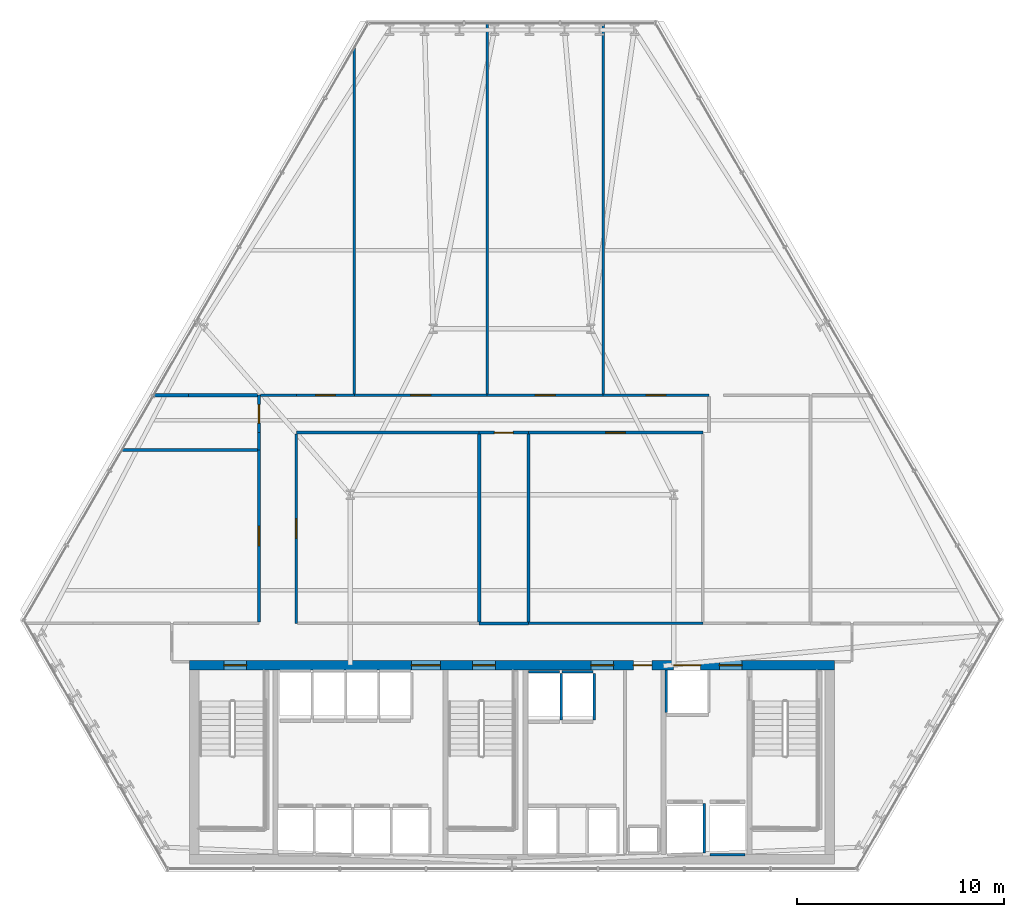
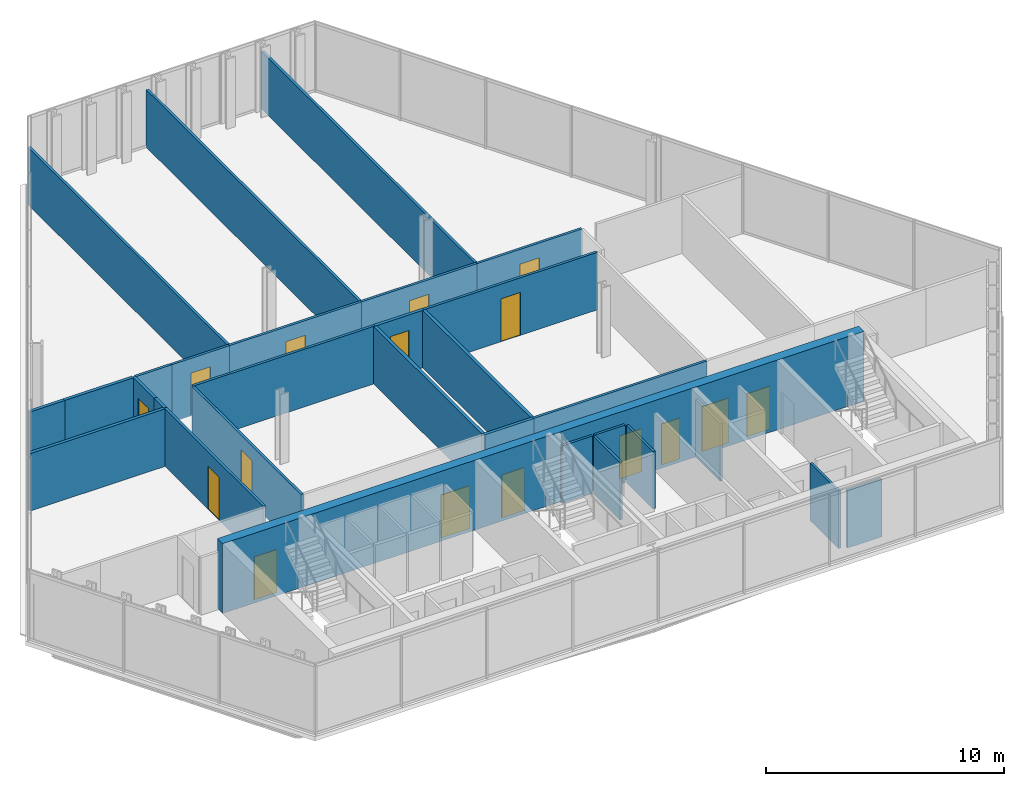
# One storey, part 28 of 32: 30 walls, 16 doors, 16 openings.
"""IFC4 building model written with IfcOpenShell, lengths in metres."""

from ifc_helpers import new_model, si_unit, direction, frame, frame_2d, origin, place, context, subcontext, project, spatial, rectangle, extrude, material, layer, layer_set, type_object, element, fill, save


model = new_model("IFC4")

# Units and contexts
model_context = context("Model", 3, precision=1e-05, world=origin(), true_north=direction((0.0, 1.0)))
body_context = subcontext(model_context, "Body", "Model", "MODEL_VIEW")
ifc_project = project(units=[si_unit("LENGTHUNIT", "METRE"), si_unit("AREAUNIT", "SQUARE_METRE"), si_unit("VOLUMEUNIT", "CUBIC_METRE"), si_unit("PLANEANGLEUNIT", "RADIAN"), si_unit("MASSUNIT", "GRAM", prefix="KILO")], contexts=[model_context])

# Site, building, storey
site_placement = place(None, origin())
site = spatial("IfcSite", under=ifc_project, at=site_placement, CompositionType="ELEMENT")
building_placement = place(site_placement, origin())
building = spatial("IfcBuilding", under=site, at=building_placement, Name="Ndaravel Arena Tower", CompositionType="ELEMENT")
storey_placement = place(building_placement, frame((0.0, 0.0, 93.0)))
storey = spatial("IfcBuildingStorey", under=building, at=storey_placement, Name="L21", CompositionType="ELEMENT", Elevation=93.0)

# Wall, openings, doors
ifc_material_1 = material(Name="Concrete C60/75", Category="concrete")
ifc_layer_1 = layer(ifc_material_1, 0.449951171875)
ifc_layer_set_1 = layer_set([ifc_layer_1], Name="Concrete C60/75")
wall_type_1 = type_object("IfcWallType", Name="WALL-CORE-450", PredefinedType="SOLIDWALL", material=ifc_layer_set_1)
wall_1_placement = place(storey_placement, frame((26.449951171875, 14.97509765625, 0.0), z_axis=(0.0, 0.0, 1.0), x_axis=(1.0, 0.0, 0.0)))
wall_1 = element("IfcWall", 1, at=wall_1_placement, inside=storey, type_object=wall_type_1, Name="L21 Core North Shear Wall", PredefinedType="SOLIDWALL", context=body_context, shape_type="SweptSolid", body=[
    extrude(rectangle(XDim=31.10009765625, YDim=0.449951171875, at=frame_2d((15.550048828125, 0.0))), origin(), (0.0, 0.0, 1.0), 3.580078125),
])
opening_1_placement = place(wall_1_placement, frame((1.64990234375, 0.0, 0.0)))
opening_1 = element("IfcOpeningElement", 2, at=opening_1_placement, cuts=wall_1, Name="Opening FD-01", PredefinedType="OPENING", context=body_context, shape_type="SweptSolid", body=[
    extrude(rectangle(XDim=1.10009765625, YDim=2.199951171875, at=frame_2d((0.550048828125, 1.10009765625))), frame((0.0, 0.22509765625, 0.0), z_axis=(0.0, -1.0, 0.0), x_axis=(1.0, 0.0, 0.0)), (0.0, 0.0, 1.0), 0.449951171875),
])
opening_2_placement = place(wall_1_placement, frame((13.64990234375, 0.0, 0.0)))
opening_2 = element("IfcOpeningElement", 3, at=opening_2_placement, cuts=wall_1, Name="Opening FD-01", PredefinedType="OPENING", context=body_context, shape_type="SweptSolid", body=[
    extrude(rectangle(XDim=1.10009765625, YDim=2.199951171875, at=frame_2d((0.550048828125, 1.10009765625))), frame((0.0, 0.22509765625, 0.0), z_axis=(0.0, -1.0, 0.0), x_axis=(1.0, 0.0, 0.0)), (0.0, 0.0, 1.0), 0.449951171875),
])
opening_3_placement = place(wall_1_placement, frame((25.550048828125, 0.0, 0.0)))
opening_3 = element("IfcOpeningElement", 4, at=opening_3_placement, cuts=wall_1, Name="Opening FD-01", PredefinedType="OPENING", context=body_context, shape_type="SweptSolid", body=[
    extrude(rectangle(XDim=1.10009765625, YDim=2.199951171875, at=frame_2d((0.550048828125, 1.10009765625))), frame((0.0, 0.22509765625, 0.0), z_axis=(0.0, -1.0, 0.0), x_axis=(1.0, 0.0, 0.0)), (0.0, 0.0, 1.0), 0.449951171875),
])
opening_4_placement = place(wall_1_placement, frame((10.699951171875, 0.0, 0.0)))
opening_4 = element("IfcOpeningElement", 5, at=opening_4_placement, cuts=wall_1, Name="Opening ID-02", PredefinedType="OPENING", context=body_context, shape_type="SweptSolid", body=[
    extrude(rectangle(XDim=1.39990234375, YDim=2.199951171875, at=frame_2d((0.699951171875, 1.10009765625))), frame((0.0, 0.22509765625, 0.0), z_axis=(0.0, -1.0, 0.0), x_axis=(1.0, 0.0, 0.0)), (0.0, 0.0, 1.0), 0.449951171875),
])
opening_5_placement = place(wall_1_placement, frame((19.35009765625, 0.0, 0.0)))
opening_5 = element("IfcOpeningElement", 6, at=opening_5_placement, cuts=wall_1, Name="Opening FD-01", PredefinedType="OPENING", context=body_context, shape_type="SweptSolid", body=[
    extrude(rectangle(XDim=1.10009765625, YDim=2.199951171875, at=frame_2d((0.550048828125, 1.10009765625))), frame((0.0, 0.22509765625, 0.0), z_axis=(0.0, -1.0, 0.0), x_axis=(1.0, 0.0, 0.0)), (0.0, 0.0, 1.0), 0.449951171875),
])
opening_6_placement = place(wall_1_placement, frame((21.39990234375, 0.0, 0.0)))
opening_6 = element("IfcOpeningElement", 7, at=opening_6_placement, cuts=wall_1, Name="Opening RD-01", PredefinedType="OPENING", context=body_context, shape_type="SweptSolid", body=[
    extrude(rectangle(XDim=0.89990234375, YDim=2.10009765625, at=frame_2d((0.449951171875, 1.050048828125))), frame((0.0, 0.22509765625, 0.0), z_axis=(0.0, -1.0, 0.0), x_axis=(1.0, 0.0, 0.0)), (0.0, 0.0, 1.0), 0.449951171875),
])
opening_7_placement = place(wall_1_placement, frame((23.35009765625, 0.0, 0.0)))
opening_7 = element("IfcOpeningElement", 8, at=opening_7_placement, cuts=wall_1, Name="Opening LD-02", PredefinedType="OPENING", context=body_context, shape_type="SweptSolid", body=[
    extrude(rectangle(XDim=1.300048828125, YDim=2.300048828125, at=frame_2d((0.64990234375, 1.14990234375))), frame((0.0, 0.22509765625, 0.0), z_axis=(0.0, -1.0, 0.0), x_axis=(1.0, 0.0, 0.0)), (0.0, 0.0, 1.0), 0.449951171875),
])
ifc_material_2 = material(Name="Steel S355", Category="steel")
door_type_1 = type_object("IfcDoorType", Name="DT-01-STAIR-1100", OperationType="SINGLE_SWING_LEFT", PredefinedType="DOOR", material=ifc_material_2)
door_1_placement = place(opening_1_placement, origin())
door_1 = element("IfcDoor", 9, at=door_1_placement, inside=storey, type_object=door_type_1, Name="L21 Exit Stair ST-1 Door", OperationType="SINGLE_SWING_RIGHT", OverallHeight=2.199951171875, OverallWidth=1.10009765625, PredefinedType="DOOR", context=body_context, shape_type="SweptSolid", body=[
    extrude(rectangle(XDim=1.10009765625, YDim=2.199951171875, at=frame_2d((0.550048828125, 1.10009765625))), frame((0.0, 0.02490234375, 0.0), z_axis=(0.0, -1.0, 0.0), x_axis=(1.0, 0.0, 0.0)), (0.0, 0.0, 1.0), 0.050048828125),
])
fill(opening_1, door_1)
door_2_placement = place(opening_2_placement, origin())
door_2 = element("IfcDoor", 10, at=door_2_placement, inside=storey, type_object=door_type_1, Name="L21 Exit Stair ST-2 Door", OperationType="SINGLE_SWING_LEFT", OverallHeight=2.199951171875, OverallWidth=1.10009765625, PredefinedType="DOOR", context=body_context, shape_type="SweptSolid", body=[
    extrude(rectangle(XDim=1.10009765625, YDim=2.199951171875, at=frame_2d((0.550048828125, 1.10009765625))), frame((0.0, 0.02490234375, 0.0), z_axis=(0.0, -1.0, 0.0), x_axis=(1.0, 0.0, 0.0)), (0.0, 0.0, 1.0), 0.050048828125),
])
fill(opening_2, door_2)
door_3_placement = place(opening_3_placement, origin())
door_3 = element("IfcDoor", 11, at=door_3_placement, inside=storey, type_object=door_type_1, Name="L21 Firefighting Lift Lobby Door", OperationType="SINGLE_SWING_RIGHT", OverallHeight=2.199951171875, OverallWidth=1.10009765625, PredefinedType="DOOR", context=body_context, shape_type="SweptSolid", body=[
    extrude(rectangle(XDim=1.10009765625, YDim=2.199951171875, at=frame_2d((0.550048828125, 1.10009765625))), frame((0.0, 0.02490234375, 0.0), z_axis=(0.0, -1.0, 0.0), x_axis=(1.0, 0.0, 0.0)), (0.0, 0.0, 1.0), 0.050048828125),
])
fill(opening_3, door_3)
door_4_placement = place(opening_5_placement, origin())
door_4 = element("IfcDoor", 12, at=door_4_placement, inside=storey, type_object=door_type_1, Name="L21 Express Lift Lobby Entry Door", OperationType="SINGLE_SWING_LEFT", OverallHeight=2.199951171875, OverallWidth=1.10009765625, PredefinedType="DOOR", context=body_context, shape_type="SweptSolid", body=[
    extrude(rectangle(XDim=1.10009765625, YDim=2.199951171875, at=frame_2d((0.550048828125, 1.10009765625))), frame((0.0, 0.02490234375, 0.0), z_axis=(0.0, -1.0, 0.0), x_axis=(1.0, 0.0, 0.0)), (0.0, 0.0, 1.0), 0.050048828125),
])
fill(opening_5, door_4)
ifc_material_3 = material(Name="Timber", Category="wood")
door_type_2 = type_object("IfcDoorType", Name="DT-04-SUITE-1400", OperationType="DOUBLE_DOOR_SINGLE_SWING", PredefinedType="DOOR", material=ifc_material_3)
door_5_placement = place(opening_4_placement, origin())
door_5 = element("IfcDoor", 13, at=door_5_placement, inside=storey, type_object=door_type_2, Name="L21 West Lift Lobby Entry Door", OperationType="DOUBLE_DOOR_SINGLE_SWING", OverallHeight=2.199951171875, OverallWidth=1.39990234375, PredefinedType="DOOR", context=body_context, shape_type="SweptSolid", body=[
    extrude(rectangle(XDim=1.39990234375, YDim=2.199951171875, at=frame_2d((0.699951171875, 1.10009765625))), frame((0.0, 0.02490234375, 0.0), z_axis=(0.0, -1.0, 0.0), x_axis=(1.0, 0.0, 0.0)), (0.0, 0.0, 1.0), 0.050048828125),
])
fill(opening_4, door_5)
ifc_material_4 = material(Name="Steel S355", Category="steel")
door_type_3 = type_object("IfcDoorType", Name="DT-07-SVLIFT-1300", OperationType="DOUBLE_DOOR_SLIDING", PredefinedType="DOOR", material=ifc_material_4)
door_6_placement = place(opening_7_placement, origin())
door_6 = element("IfcDoor", 14, at=door_6_placement, inside=storey, type_object=door_type_3, Name="L21 Lift SVL-1 Sliding Landing Door", OperationType="DOUBLE_DOOR_SLIDING", OverallHeight=2.300048828125, OverallWidth=1.300048828125, PredefinedType="DOOR", context=body_context, shape_type="SweptSolid", body=[
    extrude(rectangle(XDim=1.300048828125, YDim=2.300048828125, at=frame_2d((0.64990234375, 1.14990234375))), frame((0.0, 0.02490234375, 0.0), z_axis=(0.0, -1.0, 0.0), x_axis=(1.0, 0.0, 0.0)), (0.0, 0.0, 1.0), 0.050048828125),
])
fill(opening_7, door_6)
ifc_material_5 = material(Name="Steel S355", Category="steel")
door_type_4 = type_object("IfcDoorType", Name="DT-08-RISER-900", OperationType="SINGLE_SWING_LEFT", PredefinedType="DOOR", material=ifc_material_5)
door_7_placement = place(opening_6_placement, origin())
door_7 = element("IfcDoor", 15, at=door_7_placement, inside=storey, type_object=door_type_4, Name="L21 Core Service Riser North Door", OperationType="SINGLE_SWING_LEFT", OverallHeight=2.10009765625, OverallWidth=0.89990234375, PredefinedType="DOOR", context=body_context, shape_type="SweptSolid", body=[
    extrude(rectangle(XDim=0.89990234375, YDim=2.10009765625, at=frame_2d((0.449951171875, 1.050048828125))), frame((0.0, 0.02490234375, 0.0), z_axis=(0.0, -1.0, 0.0), x_axis=(1.0, 0.0, 0.0)), (0.0, 0.0, 1.0), 0.050048828125),
])
fill(opening_6, door_7)

# Wall, opening, door
ifc_material_6 = material(Name="Gypsum", Category="gypsum")
ifc_layer_2 = layer(ifc_material_6, 0.125)
ifc_layer_set_2 = layer_set([ifc_layer_2], Name="Gypsum")
wall_type_2 = type_object("IfcWallType", Name="WALL-PART-125", PredefinedType="PARTITIONING", material=ifc_layer_set_2)
wall_2_placement = place(storey_placement, frame((29.800048828125, 17.06494140625, 0.0), z_axis=(0.0, 0.0, 1.0), x_axis=(0.0, 1.0, 0.0)))
wall_2 = element("IfcWall", 16, at=wall_2_placement, inside=storey, type_object=wall_type_2, Name="L21 Interior Partition 007", PredefinedType="PARTITIONING", context=body_context, shape_type="SweptSolid", body=[
    extrude(rectangle(XDim=8.295166015625, YDim=0.125, at=frame_2d((4.1474609375, 0.0))), origin(), (0.0, 0.0, 1.0), 2.949951171875),
])
opening_8_placement = place(wall_2_placement, frame((3.672607421875, 0.0, 0.0)))
opening_8 = element("IfcOpeningElement", 17, at=opening_8_placement, cuts=wall_2, Name="Opening ID-01", PredefinedType="OPENING", context=body_context, shape_type="SweptSolid", body=[
    extrude(rectangle(XDim=0.949951171875, YDim=2.199951171875, at=frame_2d((0.47509765625, 1.10009765625))), frame((0.0, 0.0625, 0.0), z_axis=(0.0, -1.0, 0.0), x_axis=(1.0, 0.0, 0.0)), (0.0, 0.0, 1.0), 0.125),
])
ifc_material_7 = material(Name="Timber", Category="wood")
door_type_5 = type_object("IfcDoorType", Name="DT-03-OFFICE-950", OperationType="SINGLE_SWING_LEFT", PredefinedType="DOOR", material=ifc_material_7)
door_8_placement = place(opening_8_placement, origin())
door_8 = element("IfcDoor", 18, at=door_8_placement, inside=storey, type_object=door_type_5, Name="L21 Floor Security Control Room Door", OperationType="SINGLE_SWING_RIGHT", OverallHeight=2.199951171875, OverallWidth=0.949951171875, PredefinedType="DOOR", context=body_context, shape_type="SweptSolid", body=[
    extrude(rectangle(XDim=0.949951171875, YDim=2.199951171875, at=frame_2d((0.47509765625, 1.10009765625))), frame((0.0, 0.02490234375, 0.0), z_axis=(0.0, -1.0, 0.0), x_axis=(1.0, 0.0, 0.0)), (0.0, 0.0, 1.0), 0.050048828125),
])
fill(opening_8, door_8)

# Wall
wall_3_placement = place(storey_placement, frame((29.864990234375, 28.0, 0.0), z_axis=(0.0, 0.0, 1.0), x_axis=(1.0, 0.0, 0.0)))
element("IfcWall", 19, at=wall_3_placement, inside=storey, type_object=wall_type_2, Name="L21 Interior Partition 010", PredefinedType="PARTITIONING", context=body_context, shape_type="SweptSolid", body=[
    extrude(rectangle(XDim=1.735107421875, YDim=0.125, at=frame_2d((0.86767578125, 0.0))), origin(), (0.0, 0.0, 1.0), 2.949951171875),
])

# Wall, opening, door
wall_4_placement = place(storey_placement, frame((31.60009765625, 28.0, 0.0), z_axis=(0.0, 0.0, 1.0), x_axis=(1.0, 0.0, 0.0)))
wall_4 = element("IfcWall", 20, at=wall_4_placement, inside=storey, type_object=wall_type_2, Name="L21 Interior Partition 011", PredefinedType="PARTITIONING", context=body_context, shape_type="SweptSolid", body=[
    extrude(rectangle(XDim=2.7998046875, YDim=0.125, at=frame_2d((1.39990234375, 0.0))), origin(), (0.0, 0.0, 1.0), 2.949951171875),
])
opening_9_placement = place(wall_4_placement, frame((0.925048828125, 0.0, 0.0)))
opening_9 = element("IfcOpeningElement", 21, at=opening_9_placement, cuts=wall_4, Name="Opening ID-01", PredefinedType="OPENING", context=body_context, shape_type="SweptSolid", body=[
    extrude(rectangle(XDim=0.949951171875, YDim=2.199951171875, at=frame_2d((0.47509765625, 1.10009765625))), frame((0.0, 0.0625, 0.0), z_axis=(0.0, -1.0, 0.0), x_axis=(1.0, 0.0, 0.0)), (0.0, 0.0, 1.0), 0.125),
])
door_9_placement = place(opening_9_placement, origin())
door_9 = element("IfcDoor", 22, at=door_9_placement, inside=storey, type_object=door_type_5, Name="L21 Medical First Aid Clinic 3 Door", OperationType="SINGLE_SWING_LEFT", OverallHeight=2.199951171875, OverallWidth=0.949951171875, PredefinedType="DOOR", context=body_context, shape_type="SweptSolid", body=[
    extrude(rectangle(XDim=0.949951171875, YDim=2.199951171875, at=frame_2d((0.47509765625, 1.10009765625))), frame((0.0, 0.02490234375, 0.0), z_axis=(0.0, -1.0, 0.0), x_axis=(1.0, 0.0, 0.0)), (0.0, 0.0, 1.0), 0.050048828125),
])
fill(opening_9, door_9)

wall_5_placement = place(storey_placement, frame((34.39990234375, 28.0, 0.0), z_axis=(0.0, 0.0, 1.0), x_axis=(1.0, 0.0, 0.0)))
wall_5 = element("IfcWall", 23, at=wall_5_placement, inside=storey, type_object=wall_type_2, Name="L21 Interior Partition 012", PredefinedType="PARTITIONING", context=body_context, shape_type="SweptSolid", body=[
    extrude(rectangle(XDim=6.400146484375, YDim=0.125, at=frame_2d((3.2001953125, 0.0))), origin(), (0.0, 0.0, 1.0), 2.949951171875),
])
opening_10_placement = place(wall_5_placement, frame((2.72509765625, 0.0, 0.0)))
opening_10 = element("IfcOpeningElement", 24, at=opening_10_placement, cuts=wall_5, Name="Opening ID-01", PredefinedType="OPENING", context=body_context, shape_type="SweptSolid", body=[
    extrude(rectangle(XDim=0.949951171875, YDim=2.199951171875, at=frame_2d((0.47509765625, 1.10009765625))), frame((0.0, 0.0625, 0.0), z_axis=(0.0, -1.0, 0.0), x_axis=(1.0, 0.0, 0.0)), (0.0, 0.0, 1.0), 0.125),
])
door_10_placement = place(opening_10_placement, origin())
door_10 = element("IfcDoor", 25, at=door_10_placement, inside=storey, type_object=door_type_5, Name="L21 Physio Therapy Room 4 Door", OperationType="SINGLE_SWING_LEFT", OverallHeight=2.199951171875, OverallWidth=0.949951171875, PredefinedType="DOOR", context=body_context, shape_type="SweptSolid", body=[
    extrude(rectangle(XDim=0.949951171875, YDim=2.199951171875, at=frame_2d((0.47509765625, 1.10009765625))), frame((0.0, 0.02490234375, 0.0), z_axis=(0.0, -1.0, 0.0), x_axis=(1.0, 0.0, 0.0)), (0.0, 0.0, 1.0), 0.050048828125),
])
fill(opening_10, door_10)

wall_6_placement = place(storey_placement, frame((40.800048828125, 28.0, 0.0), z_axis=(0.0, 0.0, 1.0), x_axis=(1.0, 0.0, 0.0)))
wall_6 = element("IfcWall", 26, at=wall_6_placement, inside=storey, type_object=wall_type_2, Name="L21 Interior Partition 013", PredefinedType="PARTITIONING", context=body_context, shape_type="SweptSolid", body=[
    extrude(rectangle(XDim=5.599853515625, YDim=0.125, at=frame_2d((2.7998046875, 0.0))), origin(), (0.0, 0.0, 1.0), 2.949951171875),
])
opening_11_placement = place(wall_6_placement, frame((2.324951171875, 0.0, 0.0)))
opening_11 = element("IfcOpeningElement", 27, at=opening_11_placement, cuts=wall_6, Name="Opening ID-01", PredefinedType="OPENING", context=body_context, shape_type="SweptSolid", body=[
    extrude(rectangle(XDim=0.949951171875, YDim=2.199951171875, at=frame_2d((0.47509765625, 1.10009765625))), frame((0.0, 0.0625, 0.0), z_axis=(0.0, -1.0, 0.0), x_axis=(1.0, 0.0, 0.0)), (0.0, 0.0, 1.0), 0.125),
])
door_11_placement = place(opening_11_placement, origin())
door_11 = element("IfcDoor", 28, at=door_11_placement, inside=storey, type_object=door_type_5, Name="L21 Open Plan Workplace 5 Door", OperationType="SINGLE_SWING_RIGHT", OverallHeight=2.199951171875, OverallWidth=0.949951171875, PredefinedType="DOOR", context=body_context, shape_type="SweptSolid", body=[
    extrude(rectangle(XDim=0.949951171875, YDim=2.199951171875, at=frame_2d((0.47509765625, 1.10009765625))), frame((0.0, 0.02490234375, 0.0), z_axis=(0.0, -1.0, 0.0), x_axis=(1.0, 0.0, 0.0)), (0.0, 0.0, 1.0), 0.050048828125),
])
fill(opening_11, door_11)

wall_7_placement = place(storey_placement, frame((46.39990234375, 28.0, 0.0), z_axis=(0.0, 0.0, 1.0), x_axis=(1.0, 0.0, 0.0)))
wall_7 = element("IfcWall", 29, at=wall_7_placement, inside=storey, type_object=wall_type_2, Name="L21 Interior Partition 014", PredefinedType="PARTITIONING", context=body_context, shape_type="SweptSolid", body=[
    extrude(rectangle(XDim=5.10009765625, YDim=0.125, at=frame_2d((2.550048828125, 0.0))), origin(), (0.0, 0.0, 1.0), 2.949951171875),
])
opening_12_placement = place(wall_7_placement, frame((2.074951171875, 0.0, 0.0)))
opening_12 = element("IfcOpeningElement", 30, at=opening_12_placement, cuts=wall_7, Name="Opening ID-01", PredefinedType="OPENING", context=body_context, shape_type="SweptSolid", body=[
    extrude(rectangle(XDim=0.949951171875, YDim=2.199951171875, at=frame_2d((0.47509765625, 1.10009765625))), frame((0.0, 0.0625, 0.0), z_axis=(0.0, -1.0, 0.0), x_axis=(1.0, 0.0, 0.0)), (0.0, 0.0, 1.0), 0.125),
])
door_12_placement = place(opening_12_placement, origin())
door_12 = element("IfcDoor", 31, at=door_12_placement, inside=storey, type_object=door_type_5, Name="L21 Executive Corner Office 4 Door", OperationType="SINGLE_SWING_RIGHT", OverallHeight=2.199951171875, OverallWidth=0.949951171875, PredefinedType="DOOR", context=body_context, shape_type="SweptSolid", body=[
    extrude(rectangle(XDim=0.949951171875, YDim=2.199951171875, at=frame_2d((0.47509765625, 1.10009765625))), frame((0.0, 0.02490234375, 0.0), z_axis=(0.0, -1.0, 0.0), x_axis=(1.0, 0.0, 0.0)), (0.0, 0.0, 1.0), 0.050048828125),
])
fill(opening_12, door_12)

wall_8_placement = place(storey_placement, frame((51.199951171875, 26.199951171875, 0.0), z_axis=(0.0, 0.0, 1.0), x_axis=(-1.0, 0.0, 0.0)))
wall_8 = element("IfcWall", 32, at=wall_8_placement, inside=storey, type_object=wall_type_2, Name="L21 Interior Partition 016", PredefinedType="PARTITIONING", context=body_context, shape_type="SweptSolid", body=[
    extrude(rectangle(XDim=8.408447265625, YDim=0.125, at=frame_2d((4.2041015625, 0.0))), origin(), (0.0, 0.0, 1.0), 2.949951171875),
])
opening_13_placement = place(wall_8_placement, frame((3.729248046875, 0.0, 0.0)))
opening_13 = element("IfcOpeningElement", 33, at=opening_13_placement, cuts=wall_8, Name="Opening ID-01", PredefinedType="OPENING", context=body_context, shape_type="SweptSolid", body=[
    extrude(rectangle(XDim=0.949951171875, YDim=2.199951171875, at=frame_2d((0.47509765625, 1.10009765625))), frame((0.0, 0.0625, 0.0), z_axis=(0.0, -1.0, 0.0), x_axis=(1.0, 0.0, 0.0)), (0.0, 0.0, 1.0), 0.125),
])
door_13_placement = place(opening_13_placement, origin())
door_13 = element("IfcDoor", 34, at=door_13_placement, inside=storey, type_object=door_type_5, Name="L21 Advisory Desk Office 3 Door", OperationType="SINGLE_SWING_RIGHT", OverallHeight=2.199951171875, OverallWidth=0.949951171875, PredefinedType="DOOR", context=body_context, shape_type="SweptSolid", body=[
    extrude(rectangle(XDim=0.949951171875, YDim=2.199951171875, at=frame_2d((0.47509765625, 1.10009765625))), frame((0.0, 0.02490234375, 0.0), z_axis=(0.0, -1.0, 0.0), x_axis=(1.0, 0.0, 0.0)), (0.0, 0.0, 1.0), 0.050048828125),
])
fill(opening_13, door_13)

# Wall
wall_9_placement = place(storey_placement, frame((40.419921875, 26.199951171875, 0.0), z_axis=(0.0, 0.0, 1.0), x_axis=(-1.0, 0.0, 0.0)))
element("IfcWall", 35, at=wall_9_placement, inside=storey, type_object=wall_type_2, Name="L21 Interior Partition 018", PredefinedType="PARTITIONING", context=body_context, shape_type="SweptSolid", body=[
    extrude(rectangle(XDim=8.81982421875, YDim=0.125, at=frame_2d((4.409912109375, 0.0))), origin(), (0.0, 0.0, 1.0), 2.949951171875),
])

# Wall, opening, door
wall_10_placement = place(storey_placement, frame((31.60009765625, 26.135009765625, 0.0), z_axis=(0.0, 0.0, 1.0), x_axis=(0.0, -1.0, 0.0)))
wall_10 = element("IfcWall", 36, at=wall_10_placement, inside=storey, type_object=wall_type_2, Name="L21 Interior Partition 019", PredefinedType="PARTITIONING", context=body_context, shape_type="SweptSolid", body=[
    extrude(rectangle(XDim=9.135009765625, YDim=0.125, at=frame_2d((4.5673828125, 0.0))), origin(), (0.0, 0.0, 1.0), 2.949951171875),
])
opening_14_placement = place(wall_10_placement, frame((4.092529296875, 0.0, 0.0)))
opening_14 = element("IfcOpeningElement", 37, at=opening_14_placement, cuts=wall_10, Name="Opening ID-01", PredefinedType="OPENING", context=body_context, shape_type="SweptSolid", body=[
    extrude(rectangle(XDim=0.949951171875, YDim=2.199951171875, at=frame_2d((0.47509765625, 1.10009765625))), frame((0.0, 0.0625, 0.0), z_axis=(0.0, -1.0, 0.0), x_axis=(1.0, 0.0, 0.0)), (0.0, 0.0, 1.0), 0.125),
])
door_14_placement = place(opening_14_placement, origin())
door_14 = element("IfcDoor", 38, at=door_14_placement, inside=storey, type_object=door_type_5, Name="L21 Cellular Partner Office 2 Door", OperationType="SINGLE_SWING_RIGHT", OverallHeight=2.199951171875, OverallWidth=0.949951171875, PredefinedType="DOOR", context=body_context, shape_type="SweptSolid", body=[
    extrude(rectangle(XDim=0.949951171875, YDim=2.199951171875, at=frame_2d((0.47509765625, 1.10009765625))), frame((0.0, 0.02490234375, 0.0), z_axis=(0.0, -1.0, 0.0), x_axis=(1.0, 0.0, 0.0)), (0.0, 0.0, 1.0), 0.050048828125),
])
fill(opening_14, door_14)

# Walls
wall_11_placement = place(storey_placement, frame((42.79150390625, 17.0, 0.0), z_axis=(0.0, 0.0, 1.0), x_axis=(1.0, 0.0, 0.0)))
element("IfcWall", 39, at=wall_11_placement, inside=storey, type_object=wall_type_2, Name="L21 Interior Partition 022", PredefinedType="PARTITIONING", context=body_context, shape_type="SweptSolid", body=[
    extrude(rectangle(XDim=8.408447265625, YDim=0.125, at=frame_2d((4.2041015625, 0.0))), origin(), (0.0, 0.0, 1.0), 2.949951171875),
])
wall_12_placement = place(storey_placement, frame((34.39990234375, 44.771240234375, 0.0), z_axis=(0.0, 0.0, 1.0), x_axis=(0.0, -1.0, 0.0)))
element("IfcWall", 40, at=wall_12_placement, inside=storey, type_object=wall_type_2, Name="L21 Interior Partition 038", PredefinedType="PARTITIONING", context=body_context, shape_type="SweptSolid", body=[
    extrude(rectangle(XDim=16.706298828125, YDim=0.125, at=frame_2d((8.35302734375, 0.0))), origin(), (0.0, 0.0, 1.0), 2.949951171875),
])
for number, where, z_axis, x_axis, name in (
    (41, (46.39990234375, 28.06494140625, 0.0), (0.0, 0.0, 1.0), (0.0, 1.0, 0.0), "L21 Interior Partition 039"),
    (42, (40.800048828125, 45.93408203125, 0.0), (0.0, 0.0, 1.0), (0.0, -1.0, 0.0), "L21 Interior Partition 040"),
):
    element("IfcWall", number, at=place(storey_placement, frame(where, z_axis=z_axis, x_axis=x_axis)), inside=storey, type_object=wall_type_2, Name=name, PredefinedType="PARTITIONING", context=body_context, shape_type="SweptSolid", body=[
        extrude(rectangle(XDim=17.869140625, YDim=0.125, at=frame_2d((8.9345703125, 0.0))), origin(), (0.0, 0.0, 1.0), 2.949951171875),
    ])
ifc_material_8 = material(Name="Concrete C40/50", Category="concrete")
ifc_layer_3 = layer(ifc_material_8, 0.1201171875)
ifc_layer_set_3 = layer_set([ifc_layer_3], Name="Concrete C40/50")
wall_type_3 = type_object("IfcWallType", Name="WALL-SHAFT-120", PredefinedType="SOLIDWALL", material=ifc_layer_set_3)
wall_13_placement = place(storey_placement, frame((42.804931640625, 14.659912109375, 0.0), z_axis=(0.0, 0.0, 1.0), x_axis=(1.0, 0.0, 0.0)))
element("IfcWall", 43, at=wall_13_placement, inside=storey, type_object=wall_type_3, Name="L21 PL-OBS1 Shaft Rear Wall", PredefinedType="SOLIDWALL", context=body_context, shape_type="SweptSolid", body=[
    extrude(rectangle(XDim=1.489990234375, YDim=0.1201171875, at=frame_2d((0.7451171875, 0.0))), origin(), (0.0, 0.0, 1.0), 2.949951171875),
])
wall_14_placement = place(storey_placement, frame((44.375, 12.340087890625, 0.0), z_axis=(0.0, 0.0, 1.0), x_axis=(0.0, 1.0, 0.0)))
element("IfcWall", 44, at=wall_14_placement, inside=storey, type_object=wall_type_3, Name="L21 PL-OBS1 Shaft Side R Wall", PredefinedType="SOLIDWALL", context=body_context, shape_type="SweptSolid", body=[
    extrude(rectangle(XDim=2.22998046875, YDim=0.1201171875, at=frame_2d((1.114990234375, 0.0))), origin(), (0.0, 0.0, 1.0), 2.949951171875),
])
wall_15_placement = place(storey_placement, frame((44.405029296875, 14.659912109375, 0.0), z_axis=(0.0, 0.0, 1.0), x_axis=(1.0, 0.0, 0.0)))
element("IfcWall", 45, at=wall_15_placement, inside=storey, type_object=wall_type_3, Name="L21 PL-OBS2 Shaft Rear Wall", PredefinedType="SOLIDWALL", context=body_context, shape_type="SweptSolid", body=[
    extrude(rectangle(XDim=1.489990234375, YDim=0.1201171875, at=frame_2d((0.7451171875, 0.0))), origin(), (0.0, 0.0, 1.0), 2.949951171875),
])
wall_16_placement = place(storey_placement, frame((45.97509765625, 12.340087890625, 0.0), z_axis=(0.0, 0.0, 1.0), x_axis=(0.0, 1.0, 0.0)))
element("IfcWall", 46, at=wall_16_placement, inside=storey, type_object=wall_type_3, Name="L21 PL-OBS2 Shaft Side R Wall", PredefinedType="SOLIDWALL", context=body_context, shape_type="SweptSolid", body=[
    extrude(rectangle(XDim=2.22998046875, YDim=0.1201171875, at=frame_2d((1.114990234375, 0.0))), origin(), (0.0, 0.0, 1.0), 2.949951171875),
])
wall_17_placement = place(storey_placement, frame((51.27490234375, 5.929931640625, 0.0), z_axis=(0.0, 0.0, 1.0), x_axis=(0.0, 1.0, 0.0)))
element("IfcWall", 47, at=wall_17_placement, inside=storey, type_object=wall_type_3, Name="L21 FFL-1 Shaft Side R Wall", PredefinedType="SOLIDWALL", context=body_context, shape_type="SweptSolid", body=[
    extrude(rectangle(XDim=2.380126953125, YDim=0.1201171875, at=frame_2d((1.18994140625, 0.0))), origin(), (0.0, 0.0, 1.0), 2.949951171875),
])
wall_18_placement = place(storey_placement, frame((51.554931640625, 5.840087890625, 0.0), z_axis=(0.0, 0.0, 1.0), x_axis=(1.0, 0.0, 0.0)))
element("IfcWall", 48, at=wall_18_placement, inside=storey, type_object=wall_type_3, Name="L21 FFL-2 Shaft Rear Wall", PredefinedType="SOLIDWALL", context=body_context, shape_type="SweptSolid", body=[
    extrude(rectangle(XDim=1.690185546875, YDim=0.1201171875, at=frame_2d((0.84521484375, 0.0))), origin(), (0.0, 0.0, 1.0), 2.949951171875),
])
wall_19_placement = place(storey_placement, frame((49.43994140625, 12.68994140625, 0.0), z_axis=(0.0, 0.0, 1.0), x_axis=(0.0, 1.0, 0.0)))
element("IfcWall", 49, at=wall_19_placement, inside=storey, type_object=wall_type_3, Name="L21 SVL-1 Shaft W Wall", PredefinedType="SOLIDWALL", context=body_context, shape_type="SweptSolid", body=[
    extrude(rectangle(XDim=2.070068359375, YDim=0.1201171875, at=frame_2d((1.03515625, 0.0))), origin(), (0.0, 0.0, 1.0), 2.949951171875),
])
ifc_material_9 = material(Name="Masonry", Category="masonry")
ifc_layer_4 = layer(ifc_material_9, 0.14990234375)
ifc_layer_set_4 = layer_set([ifc_layer_4], Name="Masonry")
wall_type_4 = type_object("IfcWallType", Name="WALL-WET-150", PredefinedType="PARTITIONING", material=ifc_layer_set_4)
wall_20_placement = place(storey_placement, frame((29.800048828125, 25.360107421875, 0.0), z_axis=(0.0, 0.0, 1.0), x_axis=(0.0, 1.0, 0.0)))
element("IfcWall", 50, at=wall_20_placement, inside=storey, type_object=wall_type_4, Name="L21 Interior Partition 008", PredefinedType="PARTITIONING", context=body_context, shape_type="SweptSolid", body=[
    extrude(rectangle(XDim=0.83984375, YDim=0.14990234375, at=frame_2d((0.419921875, 0.0))), origin(), (0.0, 0.0, 1.0), 2.949951171875),
])

# Wall, opening, door
wall_21_placement = place(storey_placement, frame((29.800048828125, 26.199951171875, 0.0), z_axis=(0.0, 0.0, 1.0), x_axis=(0.0, 1.0, 0.0)))
wall_21 = element("IfcWall", 51, at=wall_21_placement, inside=storey, type_object=wall_type_4, Name="L21 Interior Partition 009", PredefinedType="PARTITIONING", context=body_context, shape_type="SweptSolid", body=[
    extrude(rectangle(XDim=1.800048828125, YDim=0.14990234375, at=frame_2d((0.89990234375, 0.0))), origin(), (0.0, 0.0, 1.0), 2.949951171875),
])
opening_15_placement = place(wall_21_placement, frame((0.449951171875, 0.0, 0.0)))
opening_15 = element("IfcOpeningElement", 52, at=opening_15_placement, cuts=wall_21, Name="Opening WD-01", PredefinedType="OPENING", context=body_context, shape_type="SweptSolid", body=[
    extrude(rectangle(XDim=0.89990234375, YDim=2.14990234375, at=frame_2d((0.449951171875, 1.074951171875))), frame((0.0, 0.074951171875, 0.0), z_axis=(0.0, -1.0, 0.0), x_axis=(1.0, 0.0, 0.0)), (0.0, 0.0, 1.0), 0.14990234375),
])
ifc_material_10 = material(Name="Timber", Category="wood")
door_type_6 = type_object("IfcDoorType", Name="DT-05-WC-900", OperationType="SINGLE_SWING_LEFT", PredefinedType="DOOR", material=ifc_material_10)
door_15_placement = place(opening_15_placement, origin())
door_15 = element("IfcDoor", 53, at=door_15_placement, inside=storey, type_object=door_type_6, Name="L21 Female & Accessible Restroom Door", OperationType="SINGLE_SWING_RIGHT", OverallHeight=2.14990234375, OverallWidth=0.89990234375, PredefinedType="DOOR", context=body_context, shape_type="SweptSolid", body=[
    extrude(rectangle(XDim=0.89990234375, YDim=2.14990234375, at=frame_2d((0.449951171875, 1.074951171875))), frame((0.0, 0.02490234375, 0.0), z_axis=(0.0, -1.0, 0.0), x_axis=(1.0, 0.0, 0.0)), (0.0, 0.0, 1.0), 0.050048828125),
])
fill(opening_15, door_15)

wall_22_placement = place(storey_placement, frame((42.79150390625, 26.199951171875, 0.0), z_axis=(0.0, 0.0, 1.0), x_axis=(-1.0, 0.0, 0.0)))
wall_22 = element("IfcWall", 54, at=wall_22_placement, inside=storey, type_object=wall_type_4, Name="L21 Interior Partition 017", PredefinedType="PARTITIONING", context=body_context, shape_type="SweptSolid", body=[
    extrude(rectangle(XDim=2.37158203125, YDim=0.14990234375, at=frame_2d((1.185791015625, 0.0))), origin(), (0.0, 0.0, 1.0), 2.949951171875),
])
opening_16_placement = place(wall_22_placement, frame((0.73583984375, 0.0, 0.0)))
opening_16 = element("IfcOpeningElement", 55, at=opening_16_placement, cuts=wall_22, Name="Opening WD-01", PredefinedType="OPENING", context=body_context, shape_type="SweptSolid", body=[
    extrude(rectangle(XDim=0.89990234375, YDim=2.14990234375, at=frame_2d((0.449951171875, 1.074951171875))), frame((0.0, 0.074951171875, 0.0), z_axis=(0.0, -1.0, 0.0), x_axis=(1.0, 0.0, 0.0)), (0.0, 0.0, 1.0), 0.14990234375),
])
door_16_placement = place(opening_16_placement, origin())
door_16 = element("IfcDoor", 56, at=door_16_placement, inside=storey, type_object=door_type_6, Name="L21 Male Staff & Visitor Restroom Door", OperationType="SINGLE_SWING_LEFT", OverallHeight=2.14990234375, OverallWidth=0.89990234375, PredefinedType="DOOR", context=body_context, shape_type="SweptSolid", body=[
    extrude(rectangle(XDim=0.89990234375, YDim=2.14990234375, at=frame_2d((0.449951171875, 1.074951171875))), frame((0.0, 0.02490234375, 0.0), z_axis=(0.0, -1.0, 0.0), x_axis=(1.0, 0.0, 0.0)), (0.0, 0.0, 1.0), 0.050048828125),
])
fill(opening_16, door_16)

# Walls
wall_23_placement = place(storey_placement, frame((40.419921875, 17.0, 0.0), z_axis=(0.0, 0.0, 1.0), x_axis=(1.0, 0.0, 0.0)))
element("IfcWall", 57, at=wall_23_placement, inside=storey, type_object=wall_type_4, Name="L21 Interior Partition 021", PredefinedType="PARTITIONING", context=body_context, shape_type="SweptSolid", body=[
    extrude(rectangle(XDim=2.37158203125, YDim=0.14990234375, at=frame_2d((1.185791015625, 0.0))), origin(), (0.0, 0.0, 1.0), 2.949951171875),
])
wall_24_placement = place(storey_placement, frame((23.19287109375, 25.360107421875, 0.0), z_axis=(0.0, 0.0, 1.0), x_axis=(1.0, 0.0, 0.0)))
element("IfcWall", 58, at=wall_24_placement, inside=storey, type_object=wall_type_4, Name="L21 Interior Partition 029", PredefinedType="PARTITIONING", context=body_context, shape_type="SweptSolid", body=[
    extrude(rectangle(XDim=6.542236328125, YDim=0.14990234375, at=frame_2d((3.27099609375, 0.0))), origin(), (0.0, 0.0, 1.0), 2.949951171875),
])
for number, where, z_axis, x_axis, name in (
    (59, (40.419921875, 26.135009765625, 0.0), (0.0, 0.0, 1.0), (0.0, -1.0, 0.0), "L21 Interior Partition 032"),
    (60, (42.79150390625, 26.135009765625, 0.0), (0.0, 0.0, 1.0), (0.0, -1.0, 0.0), "L21 Interior Partition 033"),
):
    element("IfcWall", number, at=place(storey_placement, frame(where, z_axis=z_axis, x_axis=x_axis)), inside=storey, type_object=wall_type_4, Name=name, PredefinedType="PARTITIONING", context=body_context, shape_type="SweptSolid", body=[
        extrude(rectangle(XDim=9.070068359375, YDim=0.14990234375, at=frame_2d((4.53515625, 0.0))), origin(), (0.0, 0.0, 1.0), 2.949951171875),
    ])
wall_25_placement = place(storey_placement, frame((24.717041015625, 28.0, 0.0), z_axis=(0.0, 0.0, 1.0), x_axis=(1.0, 0.0, 0.0)))
element("IfcWall", 61, at=wall_25_placement, inside=storey, type_object=wall_type_4, Name="L21 Interior Partition 036", PredefinedType="PARTITIONING", context=body_context, shape_type="SweptSolid", body=[
    extrude(rectangle(XDim=1.682861328125, YDim=0.14990234375, at=frame_2d((0.84130859375, 0.0))), origin(), (0.0, 0.0, 1.0), 2.949951171875),
])
wall_26_placement = place(storey_placement, frame((26.39990234375, 28.0, 0.0), z_axis=(0.0, 0.0, 1.0), x_axis=(1.0, 0.0, 0.0)))
element("IfcWall", 62, at=wall_26_placement, inside=storey, type_object=wall_type_4, Name="L21 Interior Partition 037", PredefinedType="PARTITIONING", context=body_context, shape_type="SweptSolid", body=[
    extrude(rectangle(XDim=3.335205078125, YDim=0.14990234375, at=frame_2d((1.66748046875, 0.0))), origin(), (0.0, 0.0, 1.0), 2.949951171875),
])

save(model, "model.ifc")
